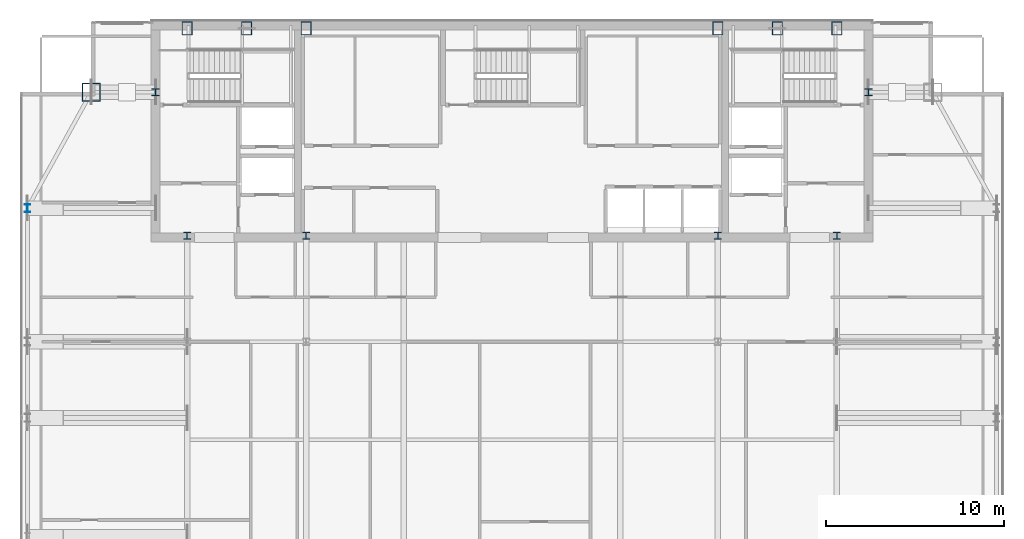
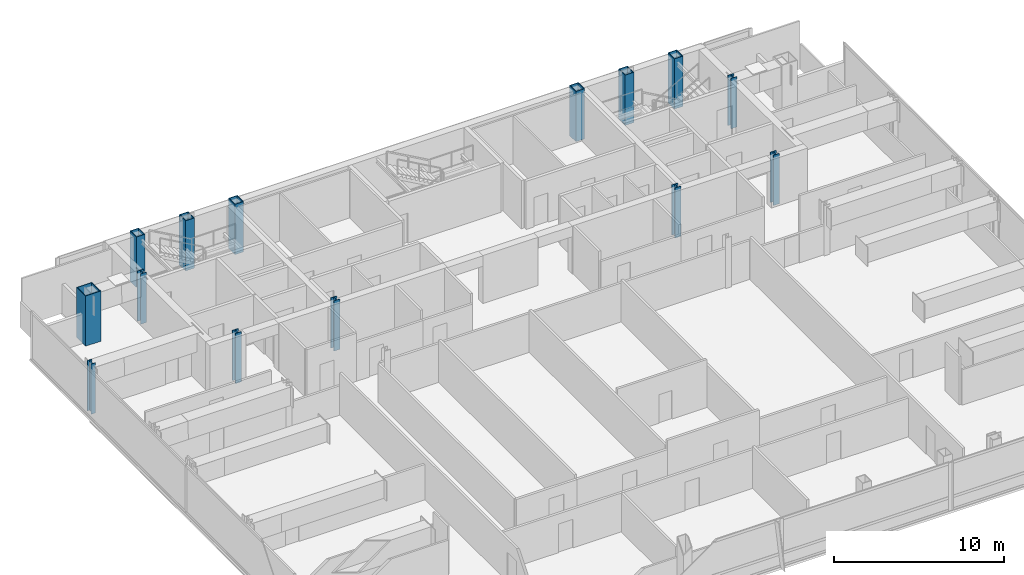
# One storey, part 3 of 26: 14 columns.
"""IFC4 building model written with IfcOpenShell, lengths in metres."""

from ifc_helpers import new_model, si_unit, direction, frame, origin, origin_2d, place, context, subcontext, project, spatial, hollow_rectangle, i_section, extrude, material, material_profile, profile_set, type_object, element, save


model = new_model("IFC4")

# Units and contexts
model_context = context("Model", 3, precision=1e-05, world=origin(), true_north=direction((0.0, 1.0)))
body_context = subcontext(model_context, "Body", "Model", "MODEL_VIEW")
ifc_project = project(units=[si_unit("LENGTHUNIT", "METRE"), si_unit("AREAUNIT", "SQUARE_METRE"), si_unit("VOLUMEUNIT", "CUBIC_METRE"), si_unit("PLANEANGLEUNIT", "RADIAN"), si_unit("MASSUNIT", "GRAM", prefix="KILO")], contexts=[model_context])

# Site, building, storey
site_placement = place(None, origin())
site = spatial("IfcSite", under=ifc_project, at=site_placement, CompositionType="ELEMENT")
building_placement = place(site_placement, origin())
building = spatial("IfcBuilding", under=site, at=building_placement, Name="Khoronbel Lancet Exchange", CompositionType="ELEMENT")
storey_placement = place(building_placement, frame((0.0, 0.0, 287.800048828125)))
storey = spatial("IfcBuildingStorey", under=building, at=storey_placement, Name="L74", CompositionType="ELEMENT", Elevation=287.800048828125)

# Columns
ifc_material_1 = material(Name="Steel S460", Category="steel")
ifc_material_profile_1 = material_profile(ifc_material_1, hollow_rectangle(XDim=0.60009765625, YDim=0.75, WallThickness=0.044921875, at=origin_2d()), Name="BOX 750x600x45")
ifc_profile_set_1 = profile_set([ifc_material_profile_1], Name="Steel S460")
column_type_1 = type_object("IfcColumnType", Name="COL-EC3", PredefinedType="COLUMN", material=ifc_profile_set_1)
for number, where, z_axis, x_axis, name in (
    (1, (18.22509765625, 53.280029296875, 0.0), (0.0, 0.0, 1.0), (1.0, 0.0, 0.0), "Structural column NC-W1 L74"),
    (2, (21.5625, 53.280029296875, 0.0), (0.0, 0.0, 1.0), (1.0, 0.0, 0.0), "Structural column NC-WM L74"),
    (3, (24.89990234375, 53.280029296875, 0.0), (0.0, 0.0, 1.0), (1.0, 0.0, 0.0), "Structural column NC-W2 L74"),
    (4, (48.0, 53.280029296875, 0.0), (0.0, 0.0, 1.0), (1.0, 0.0, 0.0), "Structural column NC-E1 L74"),
    (5, (51.33740234375, 53.280029296875, 0.0), (0.0, 0.0, 1.0), (1.0, 0.0, 0.0), "Structural column NC-EM L74"),
    (6, (54.675048828125, 53.280029296875, 0.0), (0.0, 0.0, 1.0), (1.0, 0.0, 0.0), "Structural column NC-E2 L74"),
):
    element("IfcColumn", number, at=place(storey_placement, frame(where, z_axis=z_axis, x_axis=x_axis)), inside=storey, type_object=column_type_1, Name=name, PredefinedType="COLUMN", context=body_context, shape_type="SweptSolid", body=[
        extrude(hollow_rectangle(XDim=0.60009765625, YDim=0.75, WallThickness=0.044921875, at=origin_2d()), origin(), (0.0, 0.0, 1.0), 3.599853515625),
    ])
ifc_material_2 = material(Name="Steel S355", Category="steel")
ifc_material_profile_2 = material_profile(ifc_material_2, i_section(OverallWidth=0.39892578125, OverallDepth=0.39306640625, WebThickness=0.022705078125, FlangeThickness=0.03662109375, at=origin_2d()), Name="HD 400x287")
ifc_profile_set_2 = profile_set([ifc_material_profile_2], Name="Steel S355")
column_type_2 = type_object("IfcColumnType", Name="COL-IC4", PredefinedType="COLUMN", material=ifc_profile_set_2)
for number, where, z_axis, x_axis, name in (
    (7, (16.449951171875, 49.699951171875, 0.0), (0.0, 0.0, 1.0), (1.0, 0.0, 0.0), "Core-flank plumb transfer column CFW L74"),
    (8, (56.449951171875, 49.699951171875, 0.0), (0.0, 0.0, 1.0), (1.0, 0.0, 0.0), "Core-flank plumb transfer column CFE L74"),
    (9, (18.22509765625, 41.64990234375, 0.0), (0.0, 0.0, 1.0), (1.0, 0.0, 0.0), "Core-embedded steel column CTC1 L74"),
    (10, (24.89990234375, 41.64990234375, 0.0), (0.0, 0.0, 1.0), (1.0, 0.0, 0.0), "Core-embedded steel column CTC2 L74"),
    (11, (48.0, 41.64990234375, 0.0), (0.0, 0.0, 1.0), (1.0, 0.0, 0.0), "Core-embedded steel column CTC3 L74"),
    (12, (54.675048828125, 41.64990234375, 0.0), (0.0, 0.0, 1.0), (1.0, 0.0, 0.0), "Core-embedded steel column CTC4 L74"),
):
    element("IfcColumn", number, at=place(storey_placement, frame(where, z_axis=z_axis, x_axis=x_axis)), inside=storey, type_object=column_type_2, Name=name, PredefinedType="COLUMN", context=body_context, shape_type="SweptSolid", body=[
        extrude(i_section(OverallWidth=0.39892578125, OverallDepth=0.39306640625, WebThickness=0.022705078125, FlangeThickness=0.03662109375, at=origin_2d()), origin(), (0.0, 0.0, 1.0), 3.599853515625),
    ])
ifc_material_profile_3 = material_profile(ifc_material_2, i_section(OverallWidth=0.300048828125, OverallDepth=0.449951171875, WebThickness=0.013916015625, FlangeThickness=0.02587890625, at=origin_2d()), Name="HEB 450")
ifc_profile_set_3 = profile_set([ifc_material_profile_3], Name="Steel S355")
column_type_3 = type_object("IfcColumnType", Name="COL-LC2", PredefinedType="COLUMN", material=ifc_profile_set_3)
column_1_placement = place(storey_placement, frame((9.27001953125, 43.199951171875, 0.0), z_axis=(0.0, 0.0, 1.0), x_axis=(1.0, 0.0, 0.0)))
element("IfcColumn", 13, at=column_1_placement, inside=storey, type_object=column_type_3, Name="Structural column WC-4 L74", PredefinedType="COLUMN", context=body_context, shape_type="SweptSolid", body=[
    extrude(i_section(OverallWidth=0.300048828125, OverallDepth=0.449951171875, WebThickness=0.013916015625, FlangeThickness=0.02587890625, at=origin_2d()), origin(), (0.0, 0.0, 1.0), 3.599853515625),
])
ifc_material_profile_4 = material_profile(ifc_material_1, hollow_rectangle(XDim=1.050048828125, YDim=1.050048828125, WallThickness=0.054931640625, at=origin_2d()), Name="BOX 1050x1050x55")
ifc_profile_set_4 = profile_set([ifc_material_profile_4], Name="Steel S460")
column_type_4 = type_object("IfcColumnType", Name="COL-MC6", PredefinedType="COLUMN", material=ifc_profile_set_4)
column_2_placement = place(storey_placement, frame((12.85009765625, 49.699951171875, 0.0), z_axis=(0.0, 0.0, 1.0), x_axis=(1.0, 0.0, 0.0)))
element("IfcColumn", 14, at=column_2_placement, inside=storey, type_object=column_type_4, Name="Structural column MC-NW L74", PredefinedType="COLUMN", context=body_context, shape_type="SweptSolid", body=[
    extrude(hollow_rectangle(XDim=1.050048828125, YDim=1.050048828125, WallThickness=0.054931640625, at=origin_2d()), origin(), (0.0, 0.0, 1.0), 3.599853515625),
])

save(model, "model.ifc")
